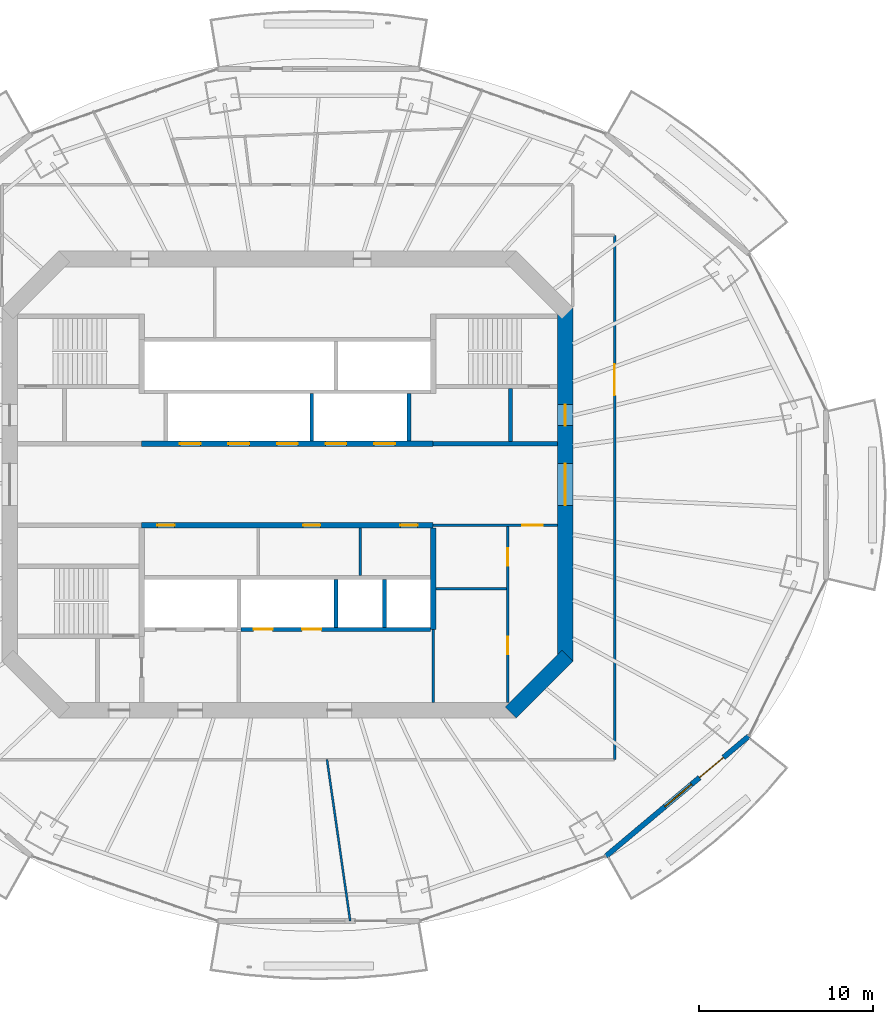
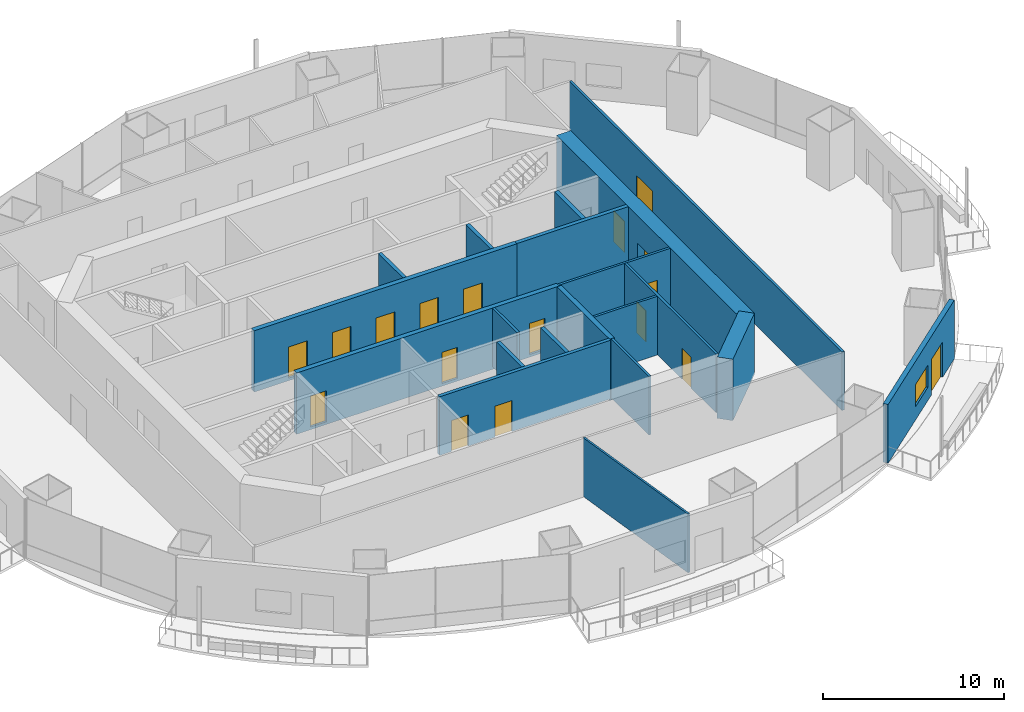
# One storey, part 11 of 19: 20 walls, 17 doors, 1 window, 18 openings.
"""IFC4 building model written with IfcOpenShell, lengths in metres."""

from ifc_helpers import new_model, si_unit, direction, frame, frame_2d, origin, place, context, subcontext, project, spatial, rectangle, extrude, material, layer, layer_set, type_object, element, fill, save


model = new_model("IFC4")

# Units and contexts
model_context = context("Model", 3, precision=1e-05, world=origin(), true_north=direction((0.0, 1.0)))
body_context = subcontext(model_context, "Body", "Model", "MODEL_VIEW")
ifc_project = project(units=[si_unit("LENGTHUNIT", "METRE"), si_unit("AREAUNIT", "SQUARE_METRE"), si_unit("VOLUMEUNIT", "CUBIC_METRE"), si_unit("PLANEANGLEUNIT", "RADIAN"), si_unit("MASSUNIT", "GRAM", prefix="KILO")], contexts=[model_context])

# Site, building, storey
site_placement = place(None, origin())
site = spatial("IfcSite", under=ifc_project, at=site_placement, CompositionType="ELEMENT")
building_placement = place(site_placement, origin())
building = spatial("IfcBuilding", under=site, at=building_placement, Name="Marenthal Gate Tower", CompositionType="ELEMENT")
storey_placement = place(building_placement, frame((0.0, 0.0, 252.35009765625)))
storey = spatial("IfcBuildingStorey", under=building, at=storey_placement, Name="L56", CompositionType="ELEMENT", Elevation=252.35009765625)

# Wall
ifc_material_1 = material(Name="Concrete 60 MPa", Category="concrete")
ifc_layer_1 = layer(ifc_material_1, 0.89990234375)
ifc_layer_set_1 = layer_set([ifc_layer_1], Name="Core shear wall 900")
wall_type_1 = type_object("IfcWallType", Name="Core shear wall 900", PredefinedType="SHEAR", material=ifc_layer_set_1)
wall_1_placement = place(storey_placement, frame((12.8681640625, -13.1318359375, -0.18017578125), z_axis=(0.0, 0.0, 1.0), x_axis=(0.707106781187, 0.707106781187, 0.0)))
element("IfcWall", 1, at=wall_1_placement, inside=storey, type_object=wall_type_1, Name="Core wall 01", PredefinedType="SHEAR", context=body_context, shape_type="SweptSolid", body=[
    extrude(rectangle(XDim=4.615478515625, YDim=0.89990234375, at=frame_2d((2.3076171875, 0.0))), origin(), (0.0, 0.0, 1.0), 4.150146484375),
])

# Wall, openings, doors
wall_2_placement = place(storey_placement, frame((16.0, -10.186279296875, -0.18017578125), z_axis=(0.0, 0.0, 1.0), x_axis=(0.0, 1.0, 0.0)))
wall_2 = element("IfcWall", 2, at=wall_2_placement, inside=storey, type_object=wall_type_1, Name="Core wall 02", PredefinedType="SHEAR", context=body_context, shape_type="SweptSolid", body=[
    extrude(rectangle(XDim=20.37255859375, YDim=0.89990234375, at=frame_2d((10.186279296875, 0.0))), origin(), (0.0, 0.0, 1.0), 4.150146484375),
])
opening_1_placement = place(wall_2_placement, frame((8.986328125, 0.0, 0.179931640625)))
opening_1 = element("IfcOpeningElement", 3, at=opening_1_placement, cuts=wall_2, Name="Opening D003.02", PredefinedType="OPENING", context=body_context, shape_type="SweptSolid", body=[
    extrude(rectangle(XDim=2.39990234375, YDim=2.10009765625, at=frame_2d((1.199951171875, 1.050048828125))), frame((0.0, 0.4599609375, 0.0), z_axis=(0.0, -1.0, 0.0), x_axis=(1.0, 0.0, 0.0)), (0.0, 0.0, 1.0), 0.919921875),
])
opening_2_placement = place(wall_2_placement, frame((13.58642578125, 0.0, 0.179931640625)))
opening_2 = element("IfcOpeningElement", 4, at=opening_2_placement, cuts=wall_2, Name="Opening D001.05", PredefinedType="OPENING", context=body_context, shape_type="SweptSolid", body=[
    extrude(rectangle(XDim=1.199951171875, YDim=2.10009765625, at=frame_2d((0.60009765625, 1.050048828125))), frame((0.0, 0.4599609375, 0.0), z_axis=(0.0, -1.0, 0.0), x_axis=(1.0, 0.0, 0.0)), (0.0, 0.0, 1.0), 0.919921875),
])
ifc_material_2 = material(Name="Steel fire door", Category="steel")
door_type_1 = type_object("IfcDoorType", Name="Double fire door FD 45 2400 x 2100", OperationType="DOUBLE_DOOR_SINGLE_SWING", PredefinedType="DOOR", material=ifc_material_2)
door_1_placement = place(opening_1_placement, origin())
door_1 = element("IfcDoor", 5, at=door_1_placement, inside=storey, type_object=door_type_1, Name="Door D003.02", OperationType="DOUBLE_DOOR_SINGLE_SWING", OverallHeight=2.10009765625, OverallWidth=2.39990234375, PredefinedType="DOOR", context=body_context, shape_type="SweptSolid", body=[
    extrude(rectangle(XDim=2.39990234375, YDim=2.10009765625, at=frame_2d((1.199951171875, 1.050048828125))), frame((0.0, 0.02490234375, 0.0), z_axis=(0.0, -1.0, 0.0), x_axis=(1.0, 0.0, 0.0)), (0.0, 0.0, 1.0), 0.050048828125),
])
fill(opening_1, door_1)
ifc_material_3 = material(Name="Steel fire door", Category="steel")
door_type_2 = type_object("IfcDoorType", Name="Fire door FD 90 1200 x 2100", OperationType="NOTDEFINED", PredefinedType="DOOR", material=ifc_material_3)
door_2_placement = place(opening_2_placement, origin())
door_2 = element("IfcDoor", 6, at=door_2_placement, inside=storey, type_object=door_type_2, Name="Door D001.05", OperationType="SINGLE_SWING_RIGHT", OverallHeight=2.10009765625, OverallWidth=1.199951171875, PredefinedType="DOOR", context=body_context, shape_type="SweptSolid", body=[
    extrude(rectangle(XDim=1.199951171875, YDim=2.10009765625, at=frame_2d((0.60009765625, 1.050048828125))), frame((0.0, 0.02490234375, 0.0), z_axis=(0.0, -1.0, 0.0), x_axis=(1.0, 0.0, 0.0)), (0.0, 0.0, 1.0), 0.050048828125),
])
fill(opening_2, door_2)

ifc_material_4 = material(Name="Concrete 50 MPa", Category="concrete")
ifc_layer_2 = layer(ifc_material_4, 0.300048828125)
ifc_layer_set_2 = layer_set([ifc_layer_2], Name="Hoistway shear wall 300")
wall_type_2 = type_object("IfcWallType", Name="Hoistway shear wall 300", PredefinedType="SHEAR", material=ifc_layer_set_2)
wall_3_placement = place(storey_placement, frame((-8.39990234375, -2.35009765625, -0.18017578125), z_axis=(0.0, 0.0, 1.0), x_axis=(1.0, 0.0, 0.0)))
wall_3 = element("IfcWall", 7, at=wall_3_placement, inside=storey, type_object=wall_type_2, Name="Hoistway wall 16", PredefinedType="SHEAR", context=body_context, shape_type="SweptSolid", body=[
    extrude(rectangle(XDim=16.7998046875, YDim=0.300048828125, at=frame_2d((8.39990234375, 0.0))), origin(), (0.0, 0.0, 1.0), 4.150146484375),
])
opening_3_placement = place(wall_3_placement, frame((0.89990234375, 0.0, 0.179931640625)))
opening_3 = element("IfcOpeningElement", 8, at=opening_3_placement, cuts=wall_3, Name="Opening D005.01", PredefinedType="OPENING", context=body_context, shape_type="SweptSolid", body=[
    extrude(rectangle(XDim=1.0, YDim=2.10009765625, at=frame_2d((0.5, 1.050048828125))), frame((0.0, 0.16015625, 0.0), z_axis=(0.0, -1.0, 0.0), x_axis=(1.0, 0.0, 0.0)), (0.0, 0.0, 1.0), 0.320068359375),
])
opening_4_placement = place(wall_3_placement, frame((9.300048828125, 0.0, 0.179931640625)))
opening_4 = element("IfcOpeningElement", 9, at=opening_4_placement, cuts=wall_3, Name="Opening D005.02", PredefinedType="OPENING", context=body_context, shape_type="SweptSolid", body=[
    extrude(rectangle(XDim=1.0, YDim=2.10009765625, at=frame_2d((0.5, 1.050048828125))), frame((0.0, 0.16015625, 0.0), z_axis=(0.0, -1.0, 0.0), x_axis=(1.0, 0.0, 0.0)), (0.0, 0.0, 1.0), 0.320068359375),
])
opening_5_placement = place(wall_3_placement, frame((14.89990234375, 0.0, 0.179931640625)))
opening_5 = element("IfcOpeningElement", 10, at=opening_5_placement, cuts=wall_3, Name="Opening D005.03", PredefinedType="OPENING", context=body_context, shape_type="SweptSolid", body=[
    extrude(rectangle(XDim=1.0, YDim=2.10009765625, at=frame_2d((0.5, 1.050048828125))), frame((0.0, 0.16015625, 0.0), z_axis=(0.0, -1.0, 0.0), x_axis=(1.0, 0.0, 0.0)), (0.0, 0.0, 1.0), 0.320068359375),
])
ifc_material_5 = material(Name="Steel fire door", Category="steel")
door_type_3 = type_object("IfcDoorType", Name="Fire door FD 45 1000 x 2100", OperationType="NOTDEFINED", PredefinedType="DOOR", material=ifc_material_5)
door_3_placement = place(opening_3_placement, frame((1.0, 0.0, 0.0), z_axis=(0.0, 0.0, 1.0), x_axis=(-1.0, 0.0, 0.0)))
door_3 = element("IfcDoor", 11, at=door_3_placement, inside=storey, type_object=door_type_3, Name="Door D005.01", OperationType="SINGLE_SWING_LEFT", OverallHeight=2.10009765625, OverallWidth=1.0, PredefinedType="DOOR", context=body_context, shape_type="SweptSolid", body=[
    extrude(rectangle(XDim=1.0, YDim=2.10009765625, at=frame_2d((0.5, 1.050048828125))), frame((0.0, 0.02490234375, 0.0), z_axis=(0.0, -1.0, 0.0), x_axis=(1.0, 0.0, 0.0)), (0.0, 0.0, 1.0), 0.050048828125),
])
fill(opening_3, door_3)
door_4_placement = place(opening_4_placement, frame((1.0, 0.0, 0.0), z_axis=(0.0, 0.0, 1.0), x_axis=(-1.0, 0.0, 0.0)))
door_4 = element("IfcDoor", 12, at=door_4_placement, inside=storey, type_object=door_type_3, Name="Door D005.02", OperationType="SINGLE_SWING_LEFT", OverallHeight=2.10009765625, OverallWidth=1.0, PredefinedType="DOOR", context=body_context, shape_type="SweptSolid", body=[
    extrude(rectangle(XDim=1.0, YDim=2.10009765625, at=frame_2d((0.5, 1.050048828125))), frame((0.0, 0.02490234375, 0.0), z_axis=(0.0, -1.0, 0.0), x_axis=(1.0, 0.0, 0.0)), (0.0, 0.0, 1.0), 0.050048828125),
])
fill(opening_4, door_4)
door_5_placement = place(opening_5_placement, frame((1.0, 0.0, 0.0), z_axis=(0.0, 0.0, 1.0), x_axis=(-1.0, 0.0, 0.0)))
door_5 = element("IfcDoor", 13, at=door_5_placement, inside=storey, type_object=door_type_3, Name="Door D005.03", OperationType="SINGLE_SWING_LEFT", OverallHeight=2.10009765625, OverallWidth=1.0, PredefinedType="DOOR", context=body_context, shape_type="SweptSolid", body=[
    extrude(rectangle(XDim=1.0, YDim=2.10009765625, at=frame_2d((0.5, 1.050048828125))), frame((0.0, 0.02490234375, 0.0), z_axis=(0.0, -1.0, 0.0), x_axis=(1.0, 0.0, 0.0)), (0.0, 0.0, 1.0), 0.050048828125),
])
fill(opening_5, door_5)

wall_4_placement = place(storey_placement, frame((-8.39990234375, 2.35009765625, -0.18017578125), z_axis=(0.0, 0.0, 1.0), x_axis=(1.0, 0.0, 0.0)))
wall_4 = element("IfcWall", 14, at=wall_4_placement, inside=storey, type_object=wall_type_2, Name="Hoistway wall 19", PredefinedType="SHEAR", context=body_context, shape_type="SweptSolid", body=[
    extrude(rectangle(XDim=16.7998046875, YDim=0.300048828125, at=frame_2d((8.39990234375, 0.0))), origin(), (0.0, 0.0, 1.0), 4.150146484375),
])
opening_6_placement = place(wall_4_placement, frame((2.199951171875, 0.0, 0.179931640625)))
opening_6 = element("IfcOpeningElement", 15, at=opening_6_placement, cuts=wall_4, Name="Opening LD-MP1", PredefinedType="OPENING", context=body_context, shape_type="SweptSolid", body=[
    extrude(rectangle(XDim=1.199951171875, YDim=2.10009765625, at=frame_2d((0.60009765625, 1.050048828125))), frame((0.0, 0.16015625, 0.0), z_axis=(0.0, -1.0, 0.0), x_axis=(1.0, 0.0, 0.0)), (0.0, 0.0, 1.0), 0.320068359375),
])
opening_7_placement = place(wall_4_placement, frame((5.0, 0.0, 0.179931640625)))
opening_7 = element("IfcOpeningElement", 16, at=opening_7_placement, cuts=wall_4, Name="Opening LD-MP2", PredefinedType="OPENING", context=body_context, shape_type="SweptSolid", body=[
    extrude(rectangle(XDim=1.199951171875, YDim=2.10009765625, at=frame_2d((0.60009765625, 1.050048828125))), frame((0.0, 0.16015625, 0.0), z_axis=(0.0, -1.0, 0.0), x_axis=(1.0, 0.0, 0.0)), (0.0, 0.0, 1.0), 0.320068359375),
])
opening_8_placement = place(wall_4_placement, frame((7.800048828125, 0.0, 0.179931640625)))
opening_8 = element("IfcOpeningElement", 17, at=opening_8_placement, cuts=wall_4, Name="Opening LD-MP3", PredefinedType="OPENING", context=body_context, shape_type="SweptSolid", body=[
    extrude(rectangle(XDim=1.199951171875, YDim=2.10009765625, at=frame_2d((0.60009765625, 1.050048828125))), frame((0.0, 0.16015625, 0.0), z_axis=(0.0, -1.0, 0.0), x_axis=(1.0, 0.0, 0.0)), (0.0, 0.0, 1.0), 0.320068359375),
])
opening_9_placement = place(wall_4_placement, frame((10.60009765625, 0.0, 0.179931640625)))
opening_9 = element("IfcOpeningElement", 18, at=opening_9_placement, cuts=wall_4, Name="Opening LD-MP4", PredefinedType="OPENING", context=body_context, shape_type="SweptSolid", body=[
    extrude(rectangle(XDim=1.199951171875, YDim=2.10009765625, at=frame_2d((0.60009765625, 1.050048828125))), frame((0.0, 0.16015625, 0.0), z_axis=(0.0, -1.0, 0.0), x_axis=(1.0, 0.0, 0.0)), (0.0, 0.0, 1.0), 0.320068359375),
])
opening_10_placement = place(wall_4_placement, frame((13.39990234375, 0.0, 0.179931640625)))
opening_10 = element("IfcOpeningElement", 19, at=opening_10_placement, cuts=wall_4, Name="Opening LD-MP5", PredefinedType="OPENING", context=body_context, shape_type="SweptSolid", body=[
    extrude(rectangle(XDim=1.199951171875, YDim=2.10009765625, at=frame_2d((0.60009765625, 1.050048828125))), frame((0.0, 0.16015625, 0.0), z_axis=(0.0, -1.0, 0.0), x_axis=(1.0, 0.0, 0.0)), (0.0, 0.0, 1.0), 0.320068359375),
])
ifc_material_6 = material(Name="Stainless steel sliding door", Category="steel")
door_type_4 = type_object("IfcDoorType", Name="Lift landing door FD 90 1200 x 2100", OperationType="DOUBLE_DOOR_SLIDING", PredefinedType="DOOR", material=ifc_material_6)
door_6_placement = place(opening_6_placement, origin())
door_6 = element("IfcDoor", 20, at=door_6_placement, inside=storey, type_object=door_type_4, Name="Lift landing door MP1", OperationType="DOUBLE_DOOR_SLIDING", OverallHeight=2.10009765625, OverallWidth=1.199951171875, PredefinedType="DOOR", context=body_context, shape_type="SweptSolid", body=[
    extrude(rectangle(XDim=1.199951171875, YDim=2.10009765625, at=frame_2d((0.60009765625, 1.050048828125))), frame((0.0, 0.02490234375, 0.0), z_axis=(0.0, -1.0, 0.0), x_axis=(1.0, 0.0, 0.0)), (0.0, 0.0, 1.0), 0.050048828125),
])
fill(opening_6, door_6)
door_7_placement = place(opening_7_placement, origin())
door_7 = element("IfcDoor", 21, at=door_7_placement, inside=storey, type_object=door_type_4, Name="Lift landing door MP2", OperationType="DOUBLE_DOOR_SLIDING", OverallHeight=2.10009765625, OverallWidth=1.199951171875, PredefinedType="DOOR", context=body_context, shape_type="SweptSolid", body=[
    extrude(rectangle(XDim=1.199951171875, YDim=2.10009765625, at=frame_2d((0.60009765625, 1.050048828125))), frame((0.0, 0.02490234375, 0.0), z_axis=(0.0, -1.0, 0.0), x_axis=(1.0, 0.0, 0.0)), (0.0, 0.0, 1.0), 0.050048828125),
])
fill(opening_7, door_7)
door_8_placement = place(opening_8_placement, origin())
door_8 = element("IfcDoor", 22, at=door_8_placement, inside=storey, type_object=door_type_4, Name="Lift landing door MP3", OperationType="DOUBLE_DOOR_SLIDING", OverallHeight=2.10009765625, OverallWidth=1.199951171875, PredefinedType="DOOR", context=body_context, shape_type="SweptSolid", body=[
    extrude(rectangle(XDim=1.199951171875, YDim=2.10009765625, at=frame_2d((0.60009765625, 1.050048828125))), frame((0.0, 0.02490234375, 0.0), z_axis=(0.0, -1.0, 0.0), x_axis=(1.0, 0.0, 0.0)), (0.0, 0.0, 1.0), 0.050048828125),
])
fill(opening_8, door_8)
door_9_placement = place(opening_9_placement, origin())
door_9 = element("IfcDoor", 23, at=door_9_placement, inside=storey, type_object=door_type_4, Name="Lift landing door MP4", OperationType="DOUBLE_DOOR_SLIDING", OverallHeight=2.10009765625, OverallWidth=1.199951171875, PredefinedType="DOOR", context=body_context, shape_type="SweptSolid", body=[
    extrude(rectangle(XDim=1.199951171875, YDim=2.10009765625, at=frame_2d((0.60009765625, 1.050048828125))), frame((0.0, 0.02490234375, 0.0), z_axis=(0.0, -1.0, 0.0), x_axis=(1.0, 0.0, 0.0)), (0.0, 0.0, 1.0), 0.050048828125),
])
fill(opening_9, door_9)
door_10_placement = place(opening_10_placement, origin())
door_10 = element("IfcDoor", 24, at=door_10_placement, inside=storey, type_object=door_type_4, Name="Lift landing door MP5", OperationType="DOUBLE_DOOR_SLIDING", OverallHeight=2.10009765625, OverallWidth=1.199951171875, PredefinedType="DOOR", context=body_context, shape_type="SweptSolid", body=[
    extrude(rectangle(XDim=1.199951171875, YDim=2.10009765625, at=frame_2d((0.60009765625, 1.050048828125))), frame((0.0, 0.02490234375, 0.0), z_axis=(0.0, -1.0, 0.0), x_axis=(1.0, 0.0, 0.0)), (0.0, 0.0, 1.0), 0.050048828125),
])
fill(opening_10, door_10)

# Wall
wall_5_placement = place(storey_placement, frame((8.39990234375, -8.35009765625, -0.18017578125), z_axis=(0.0, 0.0, 1.0), x_axis=(0.0, 1.0, 0.0)))
element("IfcWall", 25, at=wall_5_placement, inside=storey, type_object=wall_type_2, Name="Hoistway wall 45", PredefinedType="SHEAR", context=body_context, shape_type="SweptSolid", body=[
    extrude(rectangle(XDim=5.85009765625, YDim=0.300048828125, at=frame_2d((2.925048828125, 0.0))), origin(), (0.0, 0.0, 1.0), 4.150146484375),
])

# Wall, openings, doors
ifc_material_7 = material(Name="Concrete 40 MPa", Category="concrete")
ifc_layer_3 = layer(ifc_material_7, 0.219970703125)
ifc_layer_set_3 = layer_set([ifc_layer_3], Name="Hoistway wall 220")
wall_type_3 = type_object("IfcWallType", Name="Hoistway wall 220", PredefinedType="STANDARD", material=ifc_layer_set_3)
wall_6_placement = place(storey_placement, frame((-2.68994140625, -8.35009765625, 0.0), z_axis=(0.0, 0.0, 1.0), x_axis=(1.0, 0.0, 0.0)))
wall_6 = element("IfcWall", 26, at=wall_6_placement, inside=storey, type_object=wall_type_3, Name="Hoistway wall 11", PredefinedType="STANDARD", context=body_context, shape_type="SweptSolid", body=[
    extrude(rectangle(XDim=10.93994140625, YDim=0.219970703125, at=frame_2d((5.469970703125, 0.0))), origin(), (0.0, 0.0, 1.0), 3.969970703125),
])
opening_11_placement = place(wall_6_placement, frame((0.739990234375, 0.0, 0.0)))
opening_11 = element("IfcOpeningElement", 27, at=opening_11_placement, cuts=wall_6, Name="Opening LD-SV1", PredefinedType="OPENING", context=body_context, shape_type="SweptSolid", body=[
    extrude(rectangle(XDim=1.10009765625, YDim=2.10009765625, at=frame_2d((0.550048828125, 1.050048828125))), frame((0.0, 0.1201171875, 0.0), z_axis=(0.0, -1.0, 0.0), x_axis=(1.0, 0.0, 0.0)), (0.0, 0.0, 1.0), 0.239990234375),
])
opening_12_placement = place(wall_6_placement, frame((3.5400390625, 0.0, 0.0)))
opening_12 = element("IfcOpeningElement", 28, at=opening_12_placement, cuts=wall_6, Name="Opening LD-SV2", PredefinedType="OPENING", context=body_context, shape_type="SweptSolid", body=[
    extrude(rectangle(XDim=1.10009765625, YDim=2.10009765625, at=frame_2d((0.550048828125, 1.050048828125))), frame((0.0, 0.1201171875, 0.0), z_axis=(0.0, -1.0, 0.0), x_axis=(1.0, 0.0, 0.0)), (0.0, 0.0, 1.0), 0.239990234375),
])
ifc_material_8 = material(Name="Stainless steel sliding door", Category="steel")
door_type_5 = type_object("IfcDoorType", Name="Lift landing door FD 90 1100 x 2100", OperationType="DOUBLE_DOOR_SLIDING", PredefinedType="DOOR", material=ifc_material_8)
door_11_placement = place(opening_11_placement, origin())
door_11 = element("IfcDoor", 29, at=door_11_placement, inside=storey, type_object=door_type_5, Name="Lift landing door SV1", OperationType="DOUBLE_DOOR_SLIDING", OverallHeight=2.10009765625, OverallWidth=1.10009765625, PredefinedType="DOOR", context=body_context, shape_type="SweptSolid", body=[
    extrude(rectangle(XDim=1.10009765625, YDim=2.10009765625, at=frame_2d((0.550048828125, 1.050048828125))), frame((0.0, 0.02490234375, 0.0), z_axis=(0.0, -1.0, 0.0), x_axis=(1.0, 0.0, 0.0)), (0.0, 0.0, 1.0), 0.050048828125),
])
fill(opening_11, door_11)
door_12_placement = place(opening_12_placement, origin())
door_12 = element("IfcDoor", 30, at=door_12_placement, inside=storey, type_object=door_type_5, Name="Lift landing door SV2", OperationType="DOUBLE_DOOR_SLIDING", OverallHeight=2.10009765625, OverallWidth=1.10009765625, PredefinedType="DOOR", context=body_context, shape_type="SweptSolid", body=[
    extrude(rectangle(XDim=1.10009765625, YDim=2.10009765625, at=frame_2d((0.550048828125, 1.050048828125))), frame((0.0, 0.02490234375, 0.0), z_axis=(0.0, -1.0, 0.0), x_axis=(1.0, 0.0, 0.0)), (0.0, 0.0, 1.0), 0.050048828125),
])
fill(opening_12, door_12)

# Walls
wall_7_placement = place(storey_placement, frame((1.39990234375, 2.5, 0.0), z_axis=(0.0, 0.0, 1.0), x_axis=(0.0, 1.0, 0.0)))
element("IfcWall", 31, at=wall_7_placement, inside=storey, type_object=wall_type_3, Name="Hoistway wall 38", PredefinedType="STANDARD", context=body_context, shape_type="SweptSolid", body=[
    extrude(rectangle(XDim=2.739990234375, YDim=0.219970703125, at=frame_2d((1.3701171875, 0.0))), origin(), (0.0, 0.0, 1.0), 3.969970703125),
])
for number, where, z_axis, x_axis, name in (
    (32, (2.800048828125, -8.239990234375, 0.0), (0.0, 0.0, 1.0), (0.0, 1.0, 0.0), "Hoistway wall 39"),
    (33, (5.60009765625, -8.239990234375, 0.0), (0.0, 0.0, 1.0), (0.0, 1.0, 0.0), "Hoistway wall 42"),
):
    element("IfcWall", number, at=place(storey_placement, frame(where, z_axis=z_axis, x_axis=x_axis)), inside=storey, type_object=wall_type_3, Name=name, PredefinedType="STANDARD", context=body_context, shape_type="SweptSolid", body=[
        extrude(rectangle(XDim=2.780029296875, YDim=0.219970703125, at=frame_2d((1.39013671875, 0.0))), origin(), (0.0, 0.0, 1.0), 3.969970703125),
    ])
wall_8_placement = place(storey_placement, frame((7.0, 2.5, 0.0), z_axis=(0.0, 0.0, 1.0), x_axis=(0.0, 1.0, 0.0)))
element("IfcWall", 34, at=wall_8_placement, inside=storey, type_object=wall_type_3, Name="Hoistway wall 43", PredefinedType="STANDARD", context=body_context, shape_type="SweptSolid", body=[
    extrude(rectangle(XDim=2.739990234375, YDim=0.219970703125, at=frame_2d((1.3701171875, 0.0))), origin(), (0.0, 0.0, 1.0), 3.969970703125),
])
ifc_material_9 = material(Name="Gypsum board on steel studs", Category="steel")
ifc_layer_4 = layer(ifc_material_9, 0.1201171875)
ifc_layer_set_4 = layer_set([ifc_layer_4], Name="Partition 120")
wall_type_4 = type_object("IfcWallType", Name="Partition 120", PredefinedType="PARTITIONING", material=ifc_layer_set_4)
wall_9_placement = place(storey_placement, frame((2.277587890625, -15.85009765625, 0.0), z_axis=(0.0, 0.0, 1.0), x_axis=(0.142221386526, -0.989834873711, 0.0)))
element("IfcWall", 35, at=wall_9_placement, inside=storey, type_object=wall_type_4, Name="Partition wall 58", PredefinedType="PARTITIONING", context=body_context, shape_type="SweptSolid", body=[
    extrude(rectangle(XDim=9.3984375, YDim=0.1201171875, at=frame_2d((4.69921875, 0.0))), origin(), (0.0, 0.0, 1.0), 3.969970703125),
])
ifc_material_10 = material(Name="Gypsum board on steel studs", Category="steel")
ifc_layer_5 = layer(ifc_material_10, 0.14990234375)
ifc_layer_set_5 = layer_set([ifc_layer_5], Name="Partition 150")
wall_type_5 = type_object("IfcWallType", Name="Partition 150", PredefinedType="PARTITIONING", material=ifc_layer_set_5)
wall_10_placement = place(storey_placement, frame((8.550048828125, -6.0, 0.0), z_axis=(0.0, 0.0, 1.0), x_axis=(1.0, 0.0, 0.0)))
element("IfcWall", 36, at=wall_10_placement, inside=storey, type_object=wall_type_5, Name="Partition wall 12", PredefinedType="PARTITIONING", context=body_context, shape_type="SweptSolid", body=[
    extrude(rectangle(XDim=4.074951171875, YDim=0.14990234375, at=frame_2d((2.03759765625, 0.0))), origin(), (0.0, 0.0, 1.0), 3.969970703125),
])

# Wall, opening, door
wall_11_placement = place(storey_placement, frame((8.39990234375, -2.35009765625, 0.0), z_axis=(0.0, 0.0, 1.0), x_axis=(1.0, 0.0, 0.0)))
wall_11 = element("IfcWall", 37, at=wall_11_placement, inside=storey, type_object=wall_type_5, Name="Partition wall 17", PredefinedType="PARTITIONING", context=body_context, shape_type="SweptSolid", body=[
    extrude(rectangle(XDim=7.150146484375, YDim=0.14990234375, at=frame_2d((3.5751953125, 0.0))), origin(), (0.0, 0.0, 1.0), 3.969970703125),
])
opening_13_placement = place(wall_11_placement, frame((5.125, 0.0, 0.0)))
opening_13 = element("IfcOpeningElement", 38, at=opening_13_placement, cuts=wall_11, Name="Opening D006.01", PredefinedType="OPENING", context=body_context, shape_type="SweptSolid", body=[
    extrude(rectangle(XDim=1.199951171875, YDim=2.10009765625, at=frame_2d((0.60009765625, 1.050048828125))), frame((0.0, 0.0849609375, 0.0), z_axis=(0.0, -1.0, 0.0), x_axis=(1.0, 0.0, 0.0)), (0.0, 0.0, 1.0), 0.169921875),
])
ifc_material_11 = material(Name="Steel fire door", Category="steel")
door_type_6 = type_object("IfcDoorType", Name="Fire door FD 45 1200 x 2100", OperationType="NOTDEFINED", PredefinedType="DOOR", material=ifc_material_11)
door_13_placement = place(opening_13_placement, frame((1.199951171875, 0.0, 0.0), z_axis=(0.0, 0.0, 1.0), x_axis=(-1.0, 0.0, 0.0)))
door_13 = element("IfcDoor", 39, at=door_13_placement, inside=storey, type_object=door_type_6, Name="Door D006.01", OperationType="SINGLE_SWING_LEFT", OverallHeight=2.10009765625, OverallWidth=1.199951171875, PredefinedType="DOOR", context=body_context, shape_type="SweptSolid", body=[
    extrude(rectangle(XDim=1.199951171875, YDim=2.10009765625, at=frame_2d((0.60009765625, 1.050048828125))), frame((0.0, 0.02490234375, 0.0), z_axis=(0.0, -1.0, 0.0), x_axis=(1.0, 0.0, 0.0)), (0.0, 0.0, 1.0), 0.050048828125),
])
fill(opening_13, door_13)

# Walls
wall_12_placement = place(storey_placement, frame((4.199951171875, -5.239990234375, 0.0), z_axis=(0.0, 0.0, 1.0), x_axis=(0.0, 1.0, 0.0)))
element("IfcWall", 40, at=wall_12_placement, inside=storey, type_object=wall_type_5, Name="Partition wall 41", PredefinedType="PARTITIONING", context=body_context, shape_type="SweptSolid", body=[
    extrude(rectangle(XDim=2.739990234375, YDim=0.14990234375, at=frame_2d((1.3701171875, 0.0))), origin(), (0.0, 0.0, 1.0), 3.969970703125),
])
wall_13_placement = place(storey_placement, frame((8.39990234375, -12.550048828125, 0.0), z_axis=(0.0, 0.0, 1.0), x_axis=(0.0, 1.0, 0.0)))
element("IfcWall", 41, at=wall_13_placement, inside=storey, type_object=wall_type_5, Name="Partition wall 44", PredefinedType="PARTITIONING", context=body_context, shape_type="SweptSolid", body=[
    extrude(rectangle(XDim=4.199951171875, YDim=0.14990234375, at=frame_2d((2.10009765625, 0.0))), origin(), (0.0, 0.0, 1.0), 3.969970703125),
])

# Wall, openings, doors
wall_14_placement = place(storey_placement, frame((12.699951171875, -12.550048828125, 0.0), z_axis=(0.0, 0.0, 1.0), x_axis=(0.0, 1.0, 0.0)))
wall_14 = element("IfcWall", 42, at=wall_14_placement, inside=storey, type_object=wall_type_5, Name="Partition wall 48", PredefinedType="PARTITIONING", context=body_context, shape_type="SweptSolid", body=[
    extrude(rectangle(XDim=10.125, YDim=0.14990234375, at=frame_2d((5.0625, 0.0))), origin(), (0.0, 0.0, 1.0), 3.969970703125),
])
opening_14_placement = place(wall_14_placement, frame((7.875, 0.0, 0.0)))
opening_14 = element("IfcOpeningElement", 43, at=opening_14_placement, cuts=wall_14, Name="Opening D005.06", PredefinedType="OPENING", context=body_context, shape_type="SweptSolid", body=[
    extrude(rectangle(XDim=1.0, YDim=2.10009765625, at=frame_2d((0.5, 1.050048828125))), frame((0.0, 0.0849609375, 0.0), z_axis=(0.0, -1.0, 0.0), x_axis=(1.0, 0.0, 0.0)), (0.0, 0.0, 1.0), 0.169921875),
])
opening_15_placement = place(wall_14_placement, frame((2.77490234375, 0.0, 0.0)))
opening_15 = element("IfcOpeningElement", 44, at=opening_15_placement, cuts=wall_14, Name="Opening D005.07", PredefinedType="OPENING", context=body_context, shape_type="SweptSolid", body=[
    extrude(rectangle(XDim=1.0, YDim=2.10009765625, at=frame_2d((0.5, 1.050048828125))), frame((0.0, 0.0849609375, 0.0), z_axis=(0.0, -1.0, 0.0), x_axis=(1.0, 0.0, 0.0)), (0.0, 0.0, 1.0), 0.169921875),
])
door_14_placement = place(opening_14_placement, origin())
door_14 = element("IfcDoor", 45, at=door_14_placement, inside=storey, type_object=door_type_3, Name="Door D005.06", OperationType="SINGLE_SWING_RIGHT", OverallHeight=2.10009765625, OverallWidth=1.0, PredefinedType="DOOR", context=body_context, shape_type="SweptSolid", body=[
    extrude(rectangle(XDim=1.0, YDim=2.10009765625, at=frame_2d((0.5, 1.050048828125))), frame((0.0, 0.02490234375, 0.0), z_axis=(0.0, -1.0, 0.0), x_axis=(1.0, 0.0, 0.0)), (0.0, 0.0, 1.0), 0.050048828125),
])
fill(opening_14, door_14)
door_15_placement = place(opening_15_placement, origin())
door_15 = element("IfcDoor", 46, at=door_15_placement, inside=storey, type_object=door_type_3, Name="Door D005.07", OperationType="SINGLE_SWING_RIGHT", OverallHeight=2.10009765625, OverallWidth=1.0, PredefinedType="DOOR", context=body_context, shape_type="SweptSolid", body=[
    extrude(rectangle(XDim=1.0, YDim=2.10009765625, at=frame_2d((0.5, 1.050048828125))), frame((0.0, 0.02490234375, 0.0), z_axis=(0.0, -1.0, 0.0), x_axis=(1.0, 0.0, 0.0)), (0.0, 0.0, 1.0), 0.050048828125),
])
fill(opening_15, door_15)

# Wall, opening, door
wall_15_placement = place(storey_placement, frame((18.85009765625, 14.357177734375, 0.0), z_axis=(0.0, 0.0, 1.0), x_axis=(0.0, -1.0, 0.0)))
wall_15 = element("IfcWall", 47, at=wall_15_placement, inside=storey, type_object=wall_type_5, Name="Partition wall 65", PredefinedType="PARTITIONING", context=body_context, shape_type="SweptSolid", body=[
    extrude(rectangle(XDim=30.207275390625, YDim=0.14990234375, at=frame_2d((15.103515625, 0.0))), origin(), (0.0, 0.0, 1.0), 3.969970703125),
])
opening_16_placement = place(wall_15_placement, frame((7.41796875, 0.0, 0.0)))
opening_16 = element("IfcOpeningElement", 48, at=opening_16_placement, cuts=wall_15, Name="Opening D014.02", PredefinedType="OPENING", context=body_context, shape_type="SweptSolid", body=[
    extrude(rectangle(XDim=1.800048828125, YDim=2.10009765625, at=frame_2d((0.89990234375, 1.050048828125))), frame((0.0, 0.0849609375, 0.0), z_axis=(0.0, -1.0, 0.0), x_axis=(1.0, 0.0, 0.0)), (0.0, 0.0, 1.0), 0.169921875),
])
ifc_material_12 = material(Name="Timber door", Category="wood")
door_type_7 = type_object("IfcDoorType", Name="Double door 1800 x 2100", OperationType="DOUBLE_DOOR_SINGLE_SWING", PredefinedType="DOOR", material=ifc_material_12)
door_16_placement = place(opening_16_placement, origin())
door_16 = element("IfcDoor", 49, at=door_16_placement, inside=storey, type_object=door_type_7, Name="Door D014.02", OperationType="DOUBLE_DOOR_SINGLE_SWING", OverallHeight=2.10009765625, OverallWidth=1.800048828125, PredefinedType="DOOR", context=body_context, shape_type="SweptSolid", body=[
    extrude(rectangle(XDim=1.800048828125, YDim=2.10009765625, at=frame_2d((0.89990234375, 1.050048828125))), frame((0.0, 0.02490234375, 0.0), z_axis=(0.0, -1.0, 0.0), x_axis=(1.0, 0.0, 0.0)), (0.0, 0.0, 1.0), 0.050048828125),
])
fill(opening_16, door_16)

# Walls
ifc_material_13 = material(Name="Concrete 40 MPa", Category="concrete")
ifc_layer_6 = layer(ifc_material_13, 0.25)
ifc_layer_set_6 = layer_set([ifc_layer_6], Name="Stair enclosure wall 250")
wall_type_6 = type_object("IfcWallType", Name="Stair enclosure wall 250", PredefinedType="STANDARD", material=ifc_layer_set_6)
wall_16_placement = place(storey_placement, frame((8.39990234375, 2.35009765625, 0.0), z_axis=(0.0, 0.0, 1.0), x_axis=(1.0, 0.0, 0.0)))
element("IfcWall", 50, at=wall_16_placement, inside=storey, type_object=wall_type_6, Name="Stair wall 20", PredefinedType="STANDARD", context=body_context, shape_type="SweptSolid", body=[
    extrude(rectangle(XDim=7.150146484375, YDim=0.25, at=frame_2d((3.5751953125, 0.0))), origin(), (0.0, 0.0, 1.0), 3.969970703125),
])
wall_17_placement = place(storey_placement, frame((12.85009765625, 2.47509765625, 0.0), z_axis=(0.0, 0.0, 1.0), x_axis=(0.0, 1.0, 0.0)))
element("IfcWall", 51, at=wall_17_placement, inside=storey, type_object=wall_type_6, Name="Stair wall 49", PredefinedType="STANDARD", context=body_context, shape_type="SweptSolid", body=[
    extrude(rectangle(XDim=3.0498046875, YDim=0.25, at=frame_2d((1.52490234375, 0.0))), origin(), (0.0, 0.0, 1.0), 3.969970703125),
])

# Wall, openings, door, window
ifc_material_14 = material(Name="Terracotta cladding on insulated concrete-block backing", Category="masonry")
ifc_layer_7 = layer(ifc_material_14, 0.300048828125)
ifc_layer_set_7 = layer_set([ifc_layer_7], Name="Terracotta facade wall 300")
wall_type_7 = type_object("IfcWallType", Name="Terracotta facade wall 300", PredefinedType="SOLIDWALL", material=ifc_layer_set_7)
wall_18_placement = place(storey_placement, frame((18.357666015625, -21.4150390625, 0.0), z_axis=(0.0, 0.0, 1.0), x_axis=(0.765707104139, 0.643189420522, 0.0)))
wall_18 = element("IfcWall", 52, at=wall_18_placement, inside=storey, type_object=wall_type_7, Name="Terracotta facade wall L56 bay 14", PredefinedType="SOLIDWALL", context=body_context, shape_type="SweptSolid", body=[
    extrude(rectangle(XDim=10.738525390625, YDim=0.300048828125, at=frame_2d((5.369140625, 0.0))), origin(), (0.0, 0.0, 1.0), 3.969970703125),
])
opening_17_placement = place(wall_18_placement, frame((7.03857421875, 0.0, 0.0)))
opening_17 = element("IfcOpeningElement", 53, at=opening_17_placement, cuts=wall_18, Name="Opening BD-L56-14", PredefinedType="OPENING", context=body_context, shape_type="SweptSolid", body=[
    extrude(rectangle(XDim=1.800048828125, YDim=2.39990234375, at=frame_2d((0.89990234375, 1.199951171875))), frame((0.0, 0.16015625, 0.0), z_axis=(0.0, -1.0, 0.0), x_axis=(1.0, 0.0, 0.0)), (0.0, 0.0, 1.0), 0.320068359375),
])
opening_18_placement = place(wall_18_placement, frame((4.4384765625, 0.0, 0.89990234375)))
opening_18 = element("IfcOpeningElement", 54, at=opening_18_placement, cuts=wall_18, Name="Opening WN2-L56-14", PredefinedType="OPENING", context=body_context, shape_type="SweptSolid", body=[
    extrude(rectangle(XDim=2.0, YDim=1.5, at=frame_2d((1.0, 0.75))), frame((0.0, 0.16015625, 0.0), z_axis=(0.0, -1.0, 0.0), x_axis=(1.0, 0.0, 0.0)), (0.0, 0.0, 1.0), 0.320068359375),
])
ifc_material_15 = material(Name="Aluminium and glass", Category="aluminium")
door_type_8 = type_object("IfcDoorType", Name="Balcony door 1800x2400", OperationType="DOUBLE_DOOR_SINGLE_SWING", PredefinedType="DOOR", material=ifc_material_15)
door_17_placement = place(opening_17_placement, origin())
door_17 = element("IfcDoor", 55, at=door_17_placement, inside=storey, type_object=door_type_8, Name="Balcony door L56 bay 14", OperationType="SINGLE_SWING_LEFT", OverallHeight=2.39990234375, OverallWidth=1.800048828125, PredefinedType="DOOR", context=body_context, shape_type="SweptSolid", body=[
    extrude(rectangle(XDim=1.800048828125, YDim=2.39990234375, at=frame_2d((0.89990234375, 1.199951171875))), frame((0.0, 0.02490234375, 0.0), z_axis=(0.0, -1.0, 0.0), x_axis=(1.0, 0.0, 0.0)), (0.0, 0.0, 1.0), 0.050048828125),
])
fill(opening_17, door_17)
ifc_material_16 = material(Name="Aluminium and glass", Category="aluminium")
window_type = type_object("IfcWindowType", Name="Window 2000x1500", PartitioningType="DOUBLE_PANEL_VERTICAL", PredefinedType="WINDOW", material=ifc_material_16)
window_placement = place(opening_18_placement, origin())
window = element("IfcWindow", 56, at=window_placement, inside=storey, type_object=window_type, Name="Window L56 bay 14", OverallHeight=1.5, OverallWidth=2.0, PartitioningType="SINGLE_PANEL", PredefinedType="WINDOW", context=body_context, shape_type="SweptSolid", body=[
    extrude(rectangle(XDim=2.0, YDim=1.5, at=frame_2d((1.0, 0.75))), frame((0.0, 0.030029296875, 0.0), z_axis=(0.0, -1.0, 0.0), x_axis=(1.0, 0.0, 0.0)), (0.0, 0.0, 1.0), 0.06005859375),
])
fill(opening_18, window)

save(model, "model.ifc")
